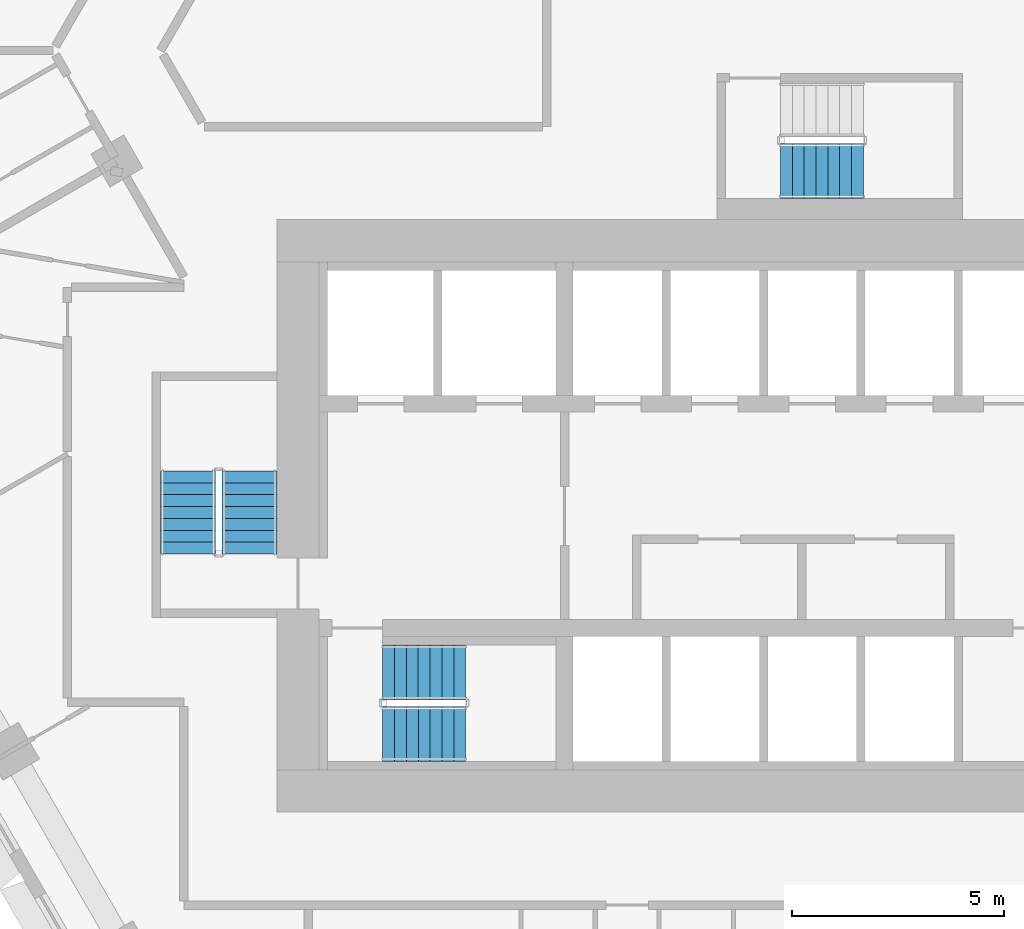
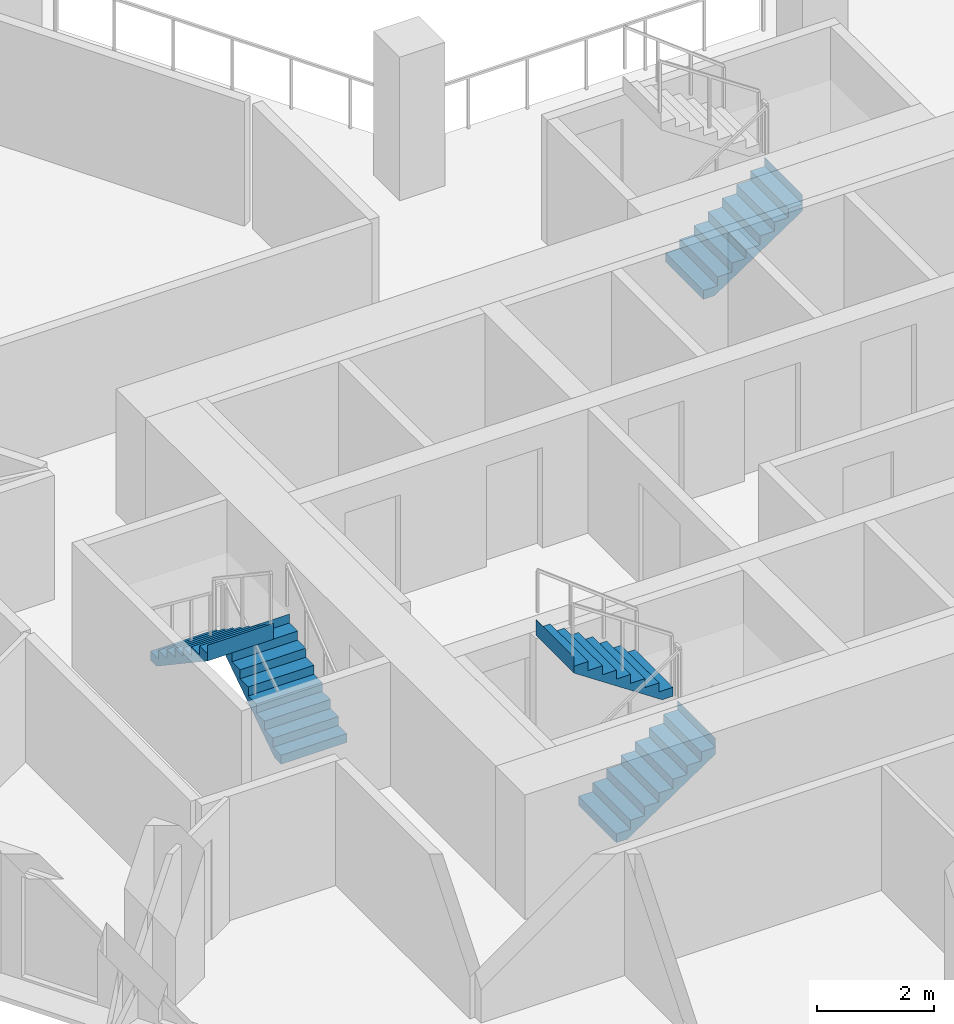
# One storey, part 13 of 18: 5 stair flights, 3 elements without a shape of their own.
"""IFC4 building model written with IfcOpenShell, lengths in metres."""

import ifcopenshell
import ifcopenshell.guid

model = None  # the IFC model being written
_history = None  # IfcOwnerHistory: only IFC2X3 demands one
_inside = {}  # id of a spatial element -> (the spatial element, [elements in it])
_under = {}  # id of a project, library or spatial element -> (it, [spatial elements below it])
_declared = {}  # id of a project -> (the project, [libraries it declares])
_typed = {}  # id of a type object -> (the type object, [elements of that type])
_made_of = {}  # id of a material, layer set ... -> (it, [elements and type objects made of it])


def new_model(schema):
    """Start an empty IFC model of exactly this schema.

    Asked for "IFC4X3", IfcOpenShell would pick the latest addendum, in which some entities
    have other attributes; the version numbers below select the first issue.
    IFC2X3 requires an IfcOwnerHistory on every rooted entity: one is made here for all.
    """
    global model, _history
    if schema == "IFC4X3":
        model = ifcopenshell.file(schema_version=(4, 3, 0, 0))
    else:
        model = ifcopenshell.file(schema=schema)
    _inside.clear()
    _under.clear()
    _declared.clear()
    _typed.clear()
    _made_of.clear()
    _history = None
    if model.schema == "IFC2X3":
        org = make("IfcOrganization", Name="unknown")
        user = make(
            "IfcPersonAndOrganization",
            ThePerson=make("IfcPerson", FamilyName="unknown"),
            TheOrganization=org,
        )
        app = make(
            "IfcApplication",
            ApplicationDeveloper=org,
            Version="unknown",
            ApplicationFullName="unknown",
            ApplicationIdentifier="unknown",
        )
        _history = make(
            "IfcOwnerHistory",
            OwningUser=user,
            OwningApplication=app,
            ChangeAction="ADDED",
            CreationDate=0,
        )
    return model


def make(cls, **values):
    """One entity of the class cls with the attributes given. An attribute that is None is left unset."""
    return model.create_entity(
        cls, **{name: value for name, value in values.items() if value is not None}
    )


def rooted(cls, **values):
    """An entity with a GlobalId (a new one), such as an element, a storey or a relation."""
    return make(cls, GlobalId=ifcopenshell.guid.new(), OwnerHistory=_history, **values)


def si_unit(unit_type, name, prefix=None):
    """IfcSIUnit, for example si_unit("LENGTHUNIT", "METRE", prefix="MILLI")."""
    return make("IfcSIUnit", UnitType=unit_type, Prefix=prefix, Name=name)


def assignment(units):
    """IfcUnitAssignment: the units of a project."""
    return None if units is None else make("IfcUnitAssignment", Units=units)


def point(xyz):
    """IfcCartesianPoint."""
    return None if xyz is None else make("IfcCartesianPoint", Coordinates=xyz)


def direction(xyz):
    """IfcDirection."""
    return None if xyz is None else make("IfcDirection", DirectionRatios=xyz)


def frame(location, z_axis=None, x_axis=None):
    """IfcAxis2Placement3D, a coordinate frame: its origin and axes. An axis left out is left unset."""
    return make(
        "IfcAxis2Placement3D",
        Location=point(location),
        Axis=direction(z_axis),
        RefDirection=direction(x_axis),
    )


def origin():
    """The frame at (0, 0, 0) with its axes left unset."""
    return frame((0.0, 0.0, 0.0))


def place(relative_to, where):
    """IfcLocalPlacement: puts the frame where relative to a parent placement (None: the world)."""
    return make(
        "IfcLocalPlacement", PlacementRelTo=relative_to, RelativePlacement=where
    )


def context(
    kind, dimensions, precision=None, world=None, true_north=None, identifier=None
):
    """IfcGeometricRepresentationContext, for example the 3D "Model" context."""
    return make(
        "IfcGeometricRepresentationContext",
        ContextIdentifier=identifier,
        ContextType=kind,
        CoordinateSpaceDimension=dimensions,
        Precision=precision,
        WorldCoordinateSystem=world,
        TrueNorth=true_north,
    )


def subcontext(parent, identifier, kind, view, scale=None):
    """IfcGeometricRepresentationSubContext, for example "Body" below "Model"."""
    return make(
        "IfcGeometricRepresentationSubContext",
        ContextIdentifier=identifier,
        ContextType=kind,
        ParentContext=parent,
        TargetScale=scale,
        TargetView=view,
    )


def project(units=None, contexts=None):
    """IfcProject with its units and contexts."""
    return rooted(
        "IfcProject",
        Name="project",
        RepresentationContexts=contexts,
        UnitsInContext=assignment(units),
    )


def spatial(cls, under=None, at=None, **own):
    """A site, building, storey or space (cls), placed at a placement, below another one or the project."""
    s = rooted(cls, ObjectPlacement=at, **own)
    if under is not None:
        _under.setdefault(under.id(), (under, []))[1].append(s)
    return s


def point_list(points):
    """IfcCartesianPointList2D or 3D."""
    cls = (
        "IfcCartesianPointList2D" if len(points[0]) == 2 else "IfcCartesianPointList3D"
    )
    return make(cls, CoordList=points)


def triangles(points, corners, closed=None, point_numbers=None):
    """IfcTriangulatedFaceSet: each triangle names its three corners, points numbered from 1."""
    return make(
        "IfcTriangulatedFaceSet",
        Coordinates=point_list(points),
        Closed=closed,
        CoordIndex=corners,
        PnIndex=point_numbers,
    )


def shape(context_of_items, identifier, shape_type, items):
    """IfcShapeRepresentation: the items that make up one representation, for example the "Body"."""
    return make(
        "IfcShapeRepresentation",
        ContextOfItems=context_of_items,
        RepresentationIdentifier=identifier,
        RepresentationType=shape_type,
        Items=items,
    )


def material(Name=None, Category=None):
    """IfcMaterial."""
    return make("IfcMaterial", Name=Name, Category=Category)


def made_of(thing, what):
    """Note that an element or type object is made of a material, layer set ...; save() writes the relation."""
    if what is not None:
        _made_of.setdefault(what.id(), (what, []))[1].append(thing)
    return thing


def type_object(cls, material=None, **own):
    """A type object (cls), such as IfcWallType, which elements share."""
    return made_of(rooted(cls, **own), material)


def element(
    cls,
    number,
    at=None,
    inside=None,
    cuts=None,
    type_object=None,
    material=None,
    context=None,
    identifier="Body",
    shape_type=None,
    held_by="IfcProductDefinitionShape",
    body=None,
    shapes=None,
    **own,
):
    """One element of the class cls, such as IfcWall. Its Tag is "e" and its number.

    at: its placement. inside: the storey or other place that contains it. cuts: it is an
    opening in that element (IfcRelVoidsElement). A single representation is given by context,
    identifier, shape_type and body (its items); several are given by shapes. held_by: the class
    of the entity that holds the representations. save() writes the other relations.
    """
    e = rooted(cls, Tag="e%d" % number, ObjectPlacement=at, **own)
    if body is not None:
        shapes = [shape(context, identifier, shape_type, body)]
    if shapes is not None:
        e.Representation = make(held_by, Representations=shapes)
    if inside is not None:
        _inside.setdefault(inside.id(), (inside, []))[1].append(e)
    if cuts is not None:
        rooted(
            "IfcRelVoidsElement", RelatingBuildingElement=cuts, RelatedOpeningElement=e
        )
    if type_object is not None:
        _typed.setdefault(type_object.id(), (type_object, []))[1].append(e)
    return made_of(e, material)


def aggregate(whole, parts):
    """IfcRelAggregates: a whole, such as a stair, and the parts it consists of."""
    return rooted("IfcRelAggregates", RelatingObject=whole, RelatedObjects=parts)


def save(model, path):
    """Write the relations noted so far, then the file.

    IfcRelAggregates (storeys below a building ...), IfcRelContainedInSpatialStructure (elements
    in a storey), IfcRelDefinesByType, IfcRelAssociatesMaterial and IfcRelDeclares: one each for
    every whole, place, type object, material and project.
    """
    for whole, parts in _under.values():
        aggregate(whole, parts)
    for where, things in _inside.values():
        rooted(
            "IfcRelContainedInSpatialStructure",
            RelatedElements=things,
            RelatingStructure=where,
        )
    for kind, things in _typed.values():
        rooted("IfcRelDefinesByType", RelatedObjects=things, RelatingType=kind)
    for what, things in _made_of.values():
        rooted("IfcRelAssociatesMaterial", RelatedObjects=things, RelatingMaterial=what)
    for by, libraries in _declared.values():
        rooted("IfcRelDeclares", RelatingContext=by, RelatedDefinitions=libraries)
    model.write(path)


model = new_model("IFC4")

# Units and contexts
model_context = context("Model", 3, precision=1e-05, world=origin(), true_north=direction((0.0, 1.0)))
body_context = subcontext(model_context, "Body", "Model", "MODEL_VIEW")
ifc_project = project(units=[si_unit("LENGTHUNIT", "METRE"), si_unit("AREAUNIT", "SQUARE_METRE"), si_unit("VOLUMEUNIT", "CUBIC_METRE"), si_unit("PLANEANGLEUNIT", "RADIAN"), si_unit("MASSUNIT", "GRAM", prefix="KILO")], contexts=[model_context])

# Site, building, storey
site_placement = place(None, origin())
site = spatial("IfcSite", under=ifc_project, at=site_placement, CompositionType="ELEMENT")
building_placement = place(site_placement, origin())
building = spatial("IfcBuilding", under=site, at=building_placement, Name="Beryl Residences", CompositionType="ELEMENT")
storey_placement = place(building_placement, frame((0.0, 0.0, 105.0)))
storey = spatial("IfcBuildingStorey", under=building, at=storey_placement, Name="L32", CompositionType="ELEMENT", Elevation=105.0)

# Stair, stair flights
ifc_material_1 = material(Name="Concrete C40/50", Category="concrete")
stair_type = type_object("IfcStairType", Name="ST1 protected exit stair, half-turn, 1300 mm flights", PredefinedType="HALF_TURN_STAIR", material=ifc_material_1)
stair_1_placement = place(storey_placement, origin())
stair_1 = element("IfcStair", 1, at=stair_1_placement, inside=storey, type_object=stair_type, Name="L32 PROTECTED EXIT STAIR ST-1", PredefinedType="HALF_TURN_STAIR")
ifc_material_2 = material(Name="Concrete C40/50", Category="concrete")
stair_flight_type = type_object("IfcStairFlightType", Name="SF1 stair flight 1300 mm", PredefinedType="STRAIGHT", material=ifc_material_2)
stair_flight_1_placement = place(storey_placement, frame((-10.800048828125, -17.14990234375, 0.0), z_axis=(0.0, 0.0, 1.0), x_axis=(1.0, 0.0, 0.0)))
stair_flight_1 = element("IfcStairFlight", 2, at=stair_flight_1_placement, type_object=stair_flight_type, Name="ST-1 flight 1", NumberOfRisers=8, NumberOfTreads=7, PredefinedType="STRAIGHT", RiserHeight=0.1875, TreadLength=0.28, context=body_context, shape_type="Tessellation", body=[
    triangles([(0.0, -0.64990234375, 0.0), (0.0, -0.324951171875, 0.0), (0.0, 0.0, 0.0), (0.0, 0.324951171875, 0.0), (0.0, 0.64990234375, 0.0), (0.0, -0.64990234375, 0.1875), (0.0, -0.324951171875, 0.1875), (0.0, 0.0, 0.1875), (0.0, 0.324951171875, 0.1875), (0.0, 0.64990234375, 0.1875), (0.280029296875, -0.64990234375, 0.1875), (0.280029296875, -0.324951171875, 0.1875), (0.280029296875, 0.0, 0.1875), (0.280029296875, 0.324951171875, 0.1875), (0.280029296875, 0.64990234375, 0.1875), (0.280029296875, -0.64990234375, 0.375), (0.280029296875, -0.324951171875, 0.375), (0.280029296875, 0.0, 0.375), (0.280029296875, 0.324951171875, 0.375), (0.280029296875, 0.64990234375, 0.375), (0.56005859375, -0.64990234375, 0.375), (0.56005859375, -0.324951171875, 0.375), (0.56005859375, 0.0, 0.375), (0.56005859375, 0.324951171875, 0.375), (0.56005859375, 0.64990234375, 0.375), (0.56005859375, -0.64990234375, 0.5625), (0.56005859375, -0.324951171875, 0.5625), (0.56005859375, 0.0, 0.5625), (0.56005859375, 0.324951171875, 0.5625), (0.56005859375, 0.64990234375, 0.5625), (0.840087890625, -0.64990234375, 0.5625), (0.840087890625, -0.324951171875, 0.5625), (0.840087890625, 0.0, 0.5625), (0.840087890625, 0.324951171875, 0.5625), (0.840087890625, 0.64990234375, 0.5625), (0.840087890625, -0.64990234375, 0.75), (0.840087890625, -0.324951171875, 0.75), (0.840087890625, 0.0, 0.75), (0.840087890625, 0.324951171875, 0.75), (0.840087890625, 0.64990234375, 0.75), (1.1201171875, -0.64990234375, 0.75), (1.1201171875, -0.324951171875, 0.75), (1.1201171875, 0.0, 0.75), (1.1201171875, 0.324951171875, 0.75), (1.1201171875, 0.64990234375, 0.75), (1.1201171875, -0.64990234375, 0.9375), (1.1201171875, -0.324951171875, 0.9375), (1.1201171875, 0.0, 0.9375), (1.1201171875, 0.324951171875, 0.9375), (1.1201171875, 0.64990234375, 0.9375), (1.39990234375, -0.64990234375, 0.9375), (1.39990234375, -0.324951171875, 0.9375), (1.39990234375, 0.0, 0.9375), (1.39990234375, 0.324951171875, 0.9375), (1.39990234375, 0.64990234375, 0.9375), (1.39990234375, -0.64990234375, 1.125), (1.39990234375, -0.324951171875, 1.125), (1.39990234375, 0.0, 1.125), (1.39990234375, 0.324951171875, 1.125), (1.39990234375, 0.64990234375, 1.125), (1.679931640625, -0.64990234375, 1.125), (1.679931640625, -0.324951171875, 1.125), (1.679931640625, 0.0, 1.125), (1.679931640625, 0.324951171875, 1.125), (1.679931640625, 0.64990234375, 1.125), (1.679931640625, -0.64990234375, 1.3125), (1.679931640625, -0.324951171875, 1.3125), (1.679931640625, 0.0, 1.3125), (1.679931640625, 0.324951171875, 1.3125), (1.679931640625, 0.64990234375, 1.3125), (1.9599609375, -0.64990234375, 1.3125), (1.9599609375, -0.324951171875, 1.3125), (1.9599609375, 0.0, 1.3125), (1.9599609375, 0.324951171875, 1.3125), (1.9599609375, 0.64990234375, 1.3125), (1.9599609375, -0.64990234375, 1.5), (1.9599609375, -0.324951171875, 1.5), (1.9599609375, 0.0, 1.5), (1.9599609375, 0.324951171875, 1.5), (1.9599609375, 0.64990234375, 1.5), (1.9609375, -0.64990234375, 1.5), (1.9609375, -0.324951171875, 1.5), (1.9609375, 0.0, 1.5), (1.9609375, 0.324951171875, 1.5), (1.9609375, 0.64990234375, 1.5), (1.9609375, -0.64990234375, 1.16796875), (1.9609375, -0.324951171875, 1.16796875), (1.9609375, 0.0, 1.16796875), (1.9609375, 0.324951171875, 1.16796875), (1.9609375, 0.64990234375, 1.16796875), (0.216796875, -0.64990234375, 0.0), (0.216796875, -0.324951171875, 0.0), (0.216796875, 0.0, 0.0), (0.216796875, 0.324951171875, 0.0), (0.216796875, 0.64990234375, 0.0)], [[1, 6, 7], [1, 7, 2], [2, 7, 8], [2, 8, 3], [3, 8, 9], [3, 9, 4], [4, 9, 10], [4, 10, 5], [6, 11, 12], [6, 12, 7], [7, 12, 13], [7, 13, 8], [8, 13, 14], [8, 14, 9], [9, 14, 15], [9, 15, 10], [11, 16, 17], [11, 17, 12], [12, 17, 18], [12, 18, 13], [13, 18, 19], [13, 19, 14], [14, 19, 20], [14, 20, 15], [16, 21, 22], [16, 22, 17], [17, 22, 23], [17, 23, 18], [18, 23, 24], [18, 24, 19], [19, 24, 25], [19, 25, 20], [21, 26, 27], [21, 27, 22], [22, 27, 28], [22, 28, 23], [23, 28, 29], [23, 29, 24], [24, 29, 30], [24, 30, 25], [26, 31, 32], [26, 32, 27], [27, 32, 33], [27, 33, 28], [28, 33, 34], [28, 34, 29], [29, 34, 35], [29, 35, 30], [31, 36, 37], [31, 37, 32], [32, 37, 38], [32, 38, 33], [33, 38, 39], [33, 39, 34], [34, 39, 40], [34, 40, 35], [36, 41, 42], [36, 42, 37], [37, 42, 43], [37, 43, 38], [38, 43, 44], [38, 44, 39], [39, 44, 45], [39, 45, 40], [41, 46, 47], [41, 47, 42], [42, 47, 48], [42, 48, 43], [43, 48, 49], [43, 49, 44], [44, 49, 50], [44, 50, 45], [46, 51, 52], [46, 52, 47], [47, 52, 53], [47, 53, 48], [48, 53, 54], [48, 54, 49], [49, 54, 55], [49, 55, 50], [51, 56, 57], [51, 57, 52], [52, 57, 58], [52, 58, 53], [53, 58, 59], [53, 59, 54], [54, 59, 60], [54, 60, 55], [56, 61, 62], [56, 62, 57], [57, 62, 63], [57, 63, 58], [58, 63, 64], [58, 64, 59], [59, 64, 65], [59, 65, 60], [61, 66, 67], [61, 67, 62], [62, 67, 68], [62, 68, 63], [63, 68, 69], [63, 69, 64], [64, 69, 70], [64, 70, 65], [66, 71, 72], [66, 72, 67], [67, 72, 73], [67, 73, 68], [68, 73, 74], [68, 74, 69], [69, 74, 75], [69, 75, 70], [71, 76, 77], [71, 77, 72], [72, 77, 78], [72, 78, 73], [73, 78, 79], [73, 79, 74], [74, 79, 80], [74, 80, 75], [76, 81, 82], [76, 82, 77], [77, 82, 83], [77, 83, 78], [78, 83, 84], [78, 84, 79], [79, 84, 85], [79, 85, 80], [81, 86, 87], [81, 87, 82], [82, 87, 88], [82, 88, 83], [83, 88, 89], [83, 89, 84], [84, 89, 90], [84, 90, 85], [86, 91, 92], [86, 92, 87], [87, 92, 93], [87, 93, 88], [88, 93, 94], [88, 94, 89], [89, 94, 95], [89, 95, 90], [91, 1, 2], [91, 2, 92], [92, 2, 3], [92, 3, 93], [93, 3, 4], [93, 4, 94], [94, 4, 5], [94, 5, 95], [1, 91, 86], [5, 90, 95], [86, 81, 76], [90, 80, 85], [86, 76, 71], [90, 75, 80], [86, 71, 66], [90, 70, 75], [86, 66, 61], [90, 65, 70], [61, 56, 51], [65, 55, 60], [86, 61, 51], [90, 55, 65], [51, 46, 41], [55, 45, 50], [86, 51, 41], [90, 45, 55], [41, 36, 31], [45, 35, 40], [86, 41, 31], [90, 35, 45], [31, 26, 21], [35, 25, 30], [86, 31, 21], [90, 25, 35], [21, 16, 11], [25, 15, 20], [86, 21, 11], [90, 15, 25], [1, 86, 11], [5, 15, 90], [11, 6, 1], [15, 5, 10]], closed=True),
])
stair_flight_2_placement = place(storey_placement, frame((-8.840087890625, -15.699951171875, 1.5), z_axis=(0.0, 0.0, 1.0), x_axis=(-1.0, 0.0, 0.0)))
stair_flight_2 = element("IfcStairFlight", 3, at=stair_flight_2_placement, type_object=stair_flight_type, Name="ST-1 flight 2", NumberOfRisers=8, NumberOfTreads=7, PredefinedType="STRAIGHT", RiserHeight=0.1875, TreadLength=0.28, context=body_context, shape_type="Tessellation", body=[
    triangles([(0.0, -0.64990234375, 0.0), (0.0, -0.324951171875, 0.0), (0.0, 0.0, 0.0), (0.0, 0.324951171875, 0.0), (0.0, 0.64990234375, 0.0), (0.0, -0.64990234375, 0.1875), (0.0, -0.324951171875, 0.1875), (0.0, 0.0, 0.1875), (0.0, 0.324951171875, 0.1875), (0.0, 0.64990234375, 0.1875), (0.280029296875, -0.64990234375, 0.1875), (0.280029296875, -0.324951171875, 0.1875), (0.280029296875, 0.0, 0.1875), (0.280029296875, 0.324951171875, 0.1875), (0.280029296875, 0.64990234375, 0.1875), (0.280029296875, -0.64990234375, 0.375), (0.280029296875, -0.324951171875, 0.375), (0.280029296875, 0.0, 0.375), (0.280029296875, 0.324951171875, 0.375), (0.280029296875, 0.64990234375, 0.375), (0.56005859375, -0.64990234375, 0.375), (0.56005859375, -0.324951171875, 0.375), (0.56005859375, 0.0, 0.375), (0.56005859375, 0.324951171875, 0.375), (0.56005859375, 0.64990234375, 0.375), (0.56005859375, -0.64990234375, 0.5625), (0.56005859375, -0.324951171875, 0.5625), (0.56005859375, 0.0, 0.5625), (0.56005859375, 0.324951171875, 0.5625), (0.56005859375, 0.64990234375, 0.5625), (0.840087890625, -0.64990234375, 0.5625), (0.840087890625, -0.324951171875, 0.5625), (0.840087890625, 0.0, 0.5625), (0.840087890625, 0.324951171875, 0.5625), (0.840087890625, 0.64990234375, 0.5625), (0.840087890625, -0.64990234375, 0.75), (0.840087890625, -0.324951171875, 0.75), (0.840087890625, 0.0, 0.75), (0.840087890625, 0.324951171875, 0.75), (0.840087890625, 0.64990234375, 0.75), (1.1201171875, -0.64990234375, 0.75), (1.1201171875, -0.324951171875, 0.75), (1.1201171875, 0.0, 0.75), (1.1201171875, 0.324951171875, 0.75), (1.1201171875, 0.64990234375, 0.75), (1.1201171875, -0.64990234375, 0.9375), (1.1201171875, -0.324951171875, 0.9375), (1.1201171875, 0.0, 0.9375), (1.1201171875, 0.324951171875, 0.9375), (1.1201171875, 0.64990234375, 0.9375), (1.39990234375, -0.64990234375, 0.9375), (1.39990234375, -0.324951171875, 0.9375), (1.39990234375, 0.0, 0.9375), (1.39990234375, 0.324951171875, 0.9375), (1.39990234375, 0.64990234375, 0.9375), (1.39990234375, -0.64990234375, 1.125), (1.39990234375, -0.324951171875, 1.125), (1.39990234375, 0.0, 1.125), (1.39990234375, 0.324951171875, 1.125), (1.39990234375, 0.64990234375, 1.125), (1.679931640625, -0.64990234375, 1.125), (1.679931640625, -0.324951171875, 1.125), (1.679931640625, 0.0, 1.125), (1.679931640625, 0.324951171875, 1.125), (1.679931640625, 0.64990234375, 1.125), (1.679931640625, -0.64990234375, 1.3125), (1.679931640625, -0.324951171875, 1.3125), (1.679931640625, 0.0, 1.3125), (1.679931640625, 0.324951171875, 1.3125), (1.679931640625, 0.64990234375, 1.3125), (1.9599609375, -0.64990234375, 1.3125), (1.9599609375, -0.324951171875, 1.3125), (1.9599609375, 0.0, 1.3125), (1.9599609375, 0.324951171875, 1.3125), (1.9599609375, 0.64990234375, 1.3125), (1.9599609375, -0.64990234375, 1.5), (1.9599609375, -0.324951171875, 1.5), (1.9599609375, 0.0, 1.5), (1.9599609375, 0.324951171875, 1.5), (1.9599609375, 0.64990234375, 1.5), (1.9609375, -0.64990234375, 1.5), (1.9609375, -0.324951171875, 1.5), (1.9609375, 0.0, 1.5), (1.9609375, 0.324951171875, 1.5), (1.9609375, 0.64990234375, 1.5), (1.9609375, -0.64990234375, 1.16796875), (1.9609375, -0.324951171875, 1.16796875), (1.9609375, 0.0, 1.16796875), (1.9609375, 0.324951171875, 1.16796875), (1.9609375, 0.64990234375, 1.16796875), (0.216796875, -0.64990234375, 0.0), (0.216796875, -0.324951171875, 0.0), (0.216796875, 0.0, 0.0), (0.216796875, 0.324951171875, 0.0), (0.216796875, 0.64990234375, 0.0)], [[1, 6, 7], [1, 7, 2], [2, 7, 8], [2, 8, 3], [3, 8, 9], [3, 9, 4], [4, 9, 10], [4, 10, 5], [6, 11, 12], [6, 12, 7], [7, 12, 13], [7, 13, 8], [8, 13, 14], [8, 14, 9], [9, 14, 15], [9, 15, 10], [11, 16, 17], [11, 17, 12], [12, 17, 18], [12, 18, 13], [13, 18, 19], [13, 19, 14], [14, 19, 20], [14, 20, 15], [16, 21, 22], [16, 22, 17], [17, 22, 23], [17, 23, 18], [18, 23, 24], [18, 24, 19], [19, 24, 25], [19, 25, 20], [21, 26, 27], [21, 27, 22], [22, 27, 28], [22, 28, 23], [23, 28, 29], [23, 29, 24], [24, 29, 30], [24, 30, 25], [26, 31, 32], [26, 32, 27], [27, 32, 33], [27, 33, 28], [28, 33, 34], [28, 34, 29], [29, 34, 35], [29, 35, 30], [31, 36, 37], [31, 37, 32], [32, 37, 38], [32, 38, 33], [33, 38, 39], [33, 39, 34], [34, 39, 40], [34, 40, 35], [36, 41, 42], [36, 42, 37], [37, 42, 43], [37, 43, 38], [38, 43, 44], [38, 44, 39], [39, 44, 45], [39, 45, 40], [41, 46, 47], [41, 47, 42], [42, 47, 48], [42, 48, 43], [43, 48, 49], [43, 49, 44], [44, 49, 50], [44, 50, 45], [46, 51, 52], [46, 52, 47], [47, 52, 53], [47, 53, 48], [48, 53, 54], [48, 54, 49], [49, 54, 55], [49, 55, 50], [51, 56, 57], [51, 57, 52], [52, 57, 58], [52, 58, 53], [53, 58, 59], [53, 59, 54], [54, 59, 60], [54, 60, 55], [56, 61, 62], [56, 62, 57], [57, 62, 63], [57, 63, 58], [58, 63, 64], [58, 64, 59], [59, 64, 65], [59, 65, 60], [61, 66, 67], [61, 67, 62], [62, 67, 68], [62, 68, 63], [63, 68, 69], [63, 69, 64], [64, 69, 70], [64, 70, 65], [66, 71, 72], [66, 72, 67], [67, 72, 73], [67, 73, 68], [68, 73, 74], [68, 74, 69], [69, 74, 75], [69, 75, 70], [71, 76, 77], [71, 77, 72], [72, 77, 78], [72, 78, 73], [73, 78, 79], [73, 79, 74], [74, 79, 80], [74, 80, 75], [76, 81, 82], [76, 82, 77], [77, 82, 83], [77, 83, 78], [78, 83, 84], [78, 84, 79], [79, 84, 85], [79, 85, 80], [81, 86, 87], [81, 87, 82], [82, 87, 88], [82, 88, 83], [83, 88, 89], [83, 89, 84], [84, 89, 90], [84, 90, 85], [86, 91, 92], [86, 92, 87], [87, 92, 93], [87, 93, 88], [88, 93, 94], [88, 94, 89], [89, 94, 95], [89, 95, 90], [91, 1, 2], [91, 2, 92], [92, 2, 3], [92, 3, 93], [93, 3, 4], [93, 4, 94], [94, 4, 5], [94, 5, 95], [1, 91, 86], [5, 90, 95], [86, 81, 76], [90, 80, 85], [86, 76, 71], [90, 75, 80], [86, 71, 66], [90, 70, 75], [86, 66, 61], [90, 65, 70], [61, 56, 51], [65, 55, 60], [86, 61, 51], [90, 55, 65], [51, 46, 41], [55, 45, 50], [86, 51, 41], [90, 45, 55], [41, 36, 31], [45, 35, 40], [86, 41, 31], [90, 35, 45], [31, 26, 21], [35, 25, 30], [86, 31, 21], [90, 25, 35], [21, 16, 11], [25, 15, 20], [86, 21, 11], [90, 15, 25], [1, 86, 11], [5, 15, 90], [11, 6, 1], [15, 5, 10]], closed=True),
])
aggregate(stair_1, [stair_flight_1, stair_flight_2])

stair_2_placement = place(storey_placement, origin())
stair_2 = element("IfcStair", 4, at=stair_2_placement, inside=storey, type_object=stair_type, Name="L32 PROTECTED EXIT STAIR ST-2", PredefinedType="HALF_TURN_STAIR")
stair_flight_3_placement = place(storey_placement, frame((-13.949951171875, -12.89990234375, 0.0), z_axis=(0.0, 0.0, 1.0), x_axis=(0.0, 1.0, 0.0)))
stair_flight_3 = element("IfcStairFlight", 5, at=stair_flight_3_placement, type_object=stair_flight_type, Name="ST-2 flight 1", NumberOfRisers=8, NumberOfTreads=7, PredefinedType="STRAIGHT", RiserHeight=0.1875, TreadLength=0.28, context=body_context, shape_type="Tessellation", body=[
    triangles([(0.0, -0.64990234375, 0.0), (0.0, -0.324951171875, 0.0), (0.0, 0.0, 0.0), (0.0, 0.324951171875, 0.0), (0.0, 0.64990234375, 0.0), (0.0, -0.64990234375, 0.1875), (0.0, -0.324951171875, 0.1875), (0.0, 0.0, 0.1875), (0.0, 0.324951171875, 0.1875), (0.0, 0.64990234375, 0.1875), (0.280029296875, -0.64990234375, 0.1875), (0.280029296875, -0.324951171875, 0.1875), (0.280029296875, 0.0, 0.1875), (0.280029296875, 0.324951171875, 0.1875), (0.280029296875, 0.64990234375, 0.1875), (0.280029296875, -0.64990234375, 0.375), (0.280029296875, -0.324951171875, 0.375), (0.280029296875, 0.0, 0.375), (0.280029296875, 0.324951171875, 0.375), (0.280029296875, 0.64990234375, 0.375), (0.56005859375, -0.64990234375, 0.375), (0.56005859375, -0.324951171875, 0.375), (0.56005859375, 0.0, 0.375), (0.56005859375, 0.324951171875, 0.375), (0.56005859375, 0.64990234375, 0.375), (0.56005859375, -0.64990234375, 0.5625), (0.56005859375, -0.324951171875, 0.5625), (0.56005859375, 0.0, 0.5625), (0.56005859375, 0.324951171875, 0.5625), (0.56005859375, 0.64990234375, 0.5625), (0.840087890625, -0.64990234375, 0.5625), (0.840087890625, -0.324951171875, 0.5625), (0.840087890625, 0.0, 0.5625), (0.840087890625, 0.324951171875, 0.5625), (0.840087890625, 0.64990234375, 0.5625), (0.840087890625, -0.64990234375, 0.75), (0.840087890625, -0.324951171875, 0.75), (0.840087890625, 0.0, 0.75), (0.840087890625, 0.324951171875, 0.75), (0.840087890625, 0.64990234375, 0.75), (1.1201171875, -0.64990234375, 0.75), (1.1201171875, -0.324951171875, 0.75), (1.1201171875, 0.0, 0.75), (1.1201171875, 0.324951171875, 0.75), (1.1201171875, 0.64990234375, 0.75), (1.1201171875, -0.64990234375, 0.9375), (1.1201171875, -0.324951171875, 0.9375), (1.1201171875, 0.0, 0.9375), (1.1201171875, 0.324951171875, 0.9375), (1.1201171875, 0.64990234375, 0.9375), (1.39990234375, -0.64990234375, 0.9375), (1.39990234375, -0.324951171875, 0.9375), (1.39990234375, 0.0, 0.9375), (1.39990234375, 0.324951171875, 0.9375), (1.39990234375, 0.64990234375, 0.9375), (1.39990234375, -0.64990234375, 1.125), (1.39990234375, -0.324951171875, 1.125), (1.39990234375, 0.0, 1.125), (1.39990234375, 0.324951171875, 1.125), (1.39990234375, 0.64990234375, 1.125), (1.679931640625, -0.64990234375, 1.125), (1.679931640625, -0.324951171875, 1.125), (1.679931640625, 0.0, 1.125), (1.679931640625, 0.324951171875, 1.125), (1.679931640625, 0.64990234375, 1.125), (1.679931640625, -0.64990234375, 1.3125), (1.679931640625, -0.324951171875, 1.3125), (1.679931640625, 0.0, 1.3125), (1.679931640625, 0.324951171875, 1.3125), (1.679931640625, 0.64990234375, 1.3125), (1.9599609375, -0.64990234375, 1.3125), (1.9599609375, -0.324951171875, 1.3125), (1.9599609375, 0.0, 1.3125), (1.9599609375, 0.324951171875, 1.3125), (1.9599609375, 0.64990234375, 1.3125), (1.9599609375, -0.64990234375, 1.5), (1.9599609375, -0.324951171875, 1.5), (1.9599609375, 0.0, 1.5), (1.9599609375, 0.324951171875, 1.5), (1.9599609375, 0.64990234375, 1.5), (1.9609375, -0.64990234375, 1.5), (1.9609375, -0.324951171875, 1.5), (1.9609375, 0.0, 1.5), (1.9609375, 0.324951171875, 1.5), (1.9609375, 0.64990234375, 1.5), (1.9609375, -0.64990234375, 1.16796875), (1.9609375, -0.324951171875, 1.16796875), (1.9609375, 0.0, 1.16796875), (1.9609375, 0.324951171875, 1.16796875), (1.9609375, 0.64990234375, 1.16796875), (0.216796875, -0.64990234375, 0.0), (0.216796875, -0.324951171875, 0.0), (0.216796875, 0.0, 0.0), (0.216796875, 0.324951171875, 0.0), (0.216796875, 0.64990234375, 0.0)], [[1, 6, 7], [1, 7, 2], [2, 7, 8], [2, 8, 3], [3, 8, 9], [3, 9, 4], [4, 9, 10], [4, 10, 5], [6, 11, 12], [6, 12, 7], [7, 12, 13], [7, 13, 8], [8, 13, 14], [8, 14, 9], [9, 14, 15], [9, 15, 10], [11, 16, 17], [11, 17, 12], [12, 17, 18], [12, 18, 13], [13, 18, 19], [13, 19, 14], [14, 19, 20], [14, 20, 15], [16, 21, 22], [16, 22, 17], [17, 22, 23], [17, 23, 18], [18, 23, 24], [18, 24, 19], [19, 24, 25], [19, 25, 20], [21, 26, 27], [21, 27, 22], [22, 27, 28], [22, 28, 23], [23, 28, 29], [23, 29, 24], [24, 29, 30], [24, 30, 25], [26, 31, 32], [26, 32, 27], [27, 32, 33], [27, 33, 28], [28, 33, 34], [28, 34, 29], [29, 34, 35], [29, 35, 30], [31, 36, 37], [31, 37, 32], [32, 37, 38], [32, 38, 33], [33, 38, 39], [33, 39, 34], [34, 39, 40], [34, 40, 35], [36, 41, 42], [36, 42, 37], [37, 42, 43], [37, 43, 38], [38, 43, 44], [38, 44, 39], [39, 44, 45], [39, 45, 40], [41, 46, 47], [41, 47, 42], [42, 47, 48], [42, 48, 43], [43, 48, 49], [43, 49, 44], [44, 49, 50], [44, 50, 45], [46, 51, 52], [46, 52, 47], [47, 52, 53], [47, 53, 48], [48, 53, 54], [48, 54, 49], [49, 54, 55], [49, 55, 50], [51, 56, 57], [51, 57, 52], [52, 57, 58], [52, 58, 53], [53, 58, 59], [53, 59, 54], [54, 59, 60], [54, 60, 55], [56, 61, 62], [56, 62, 57], [57, 62, 63], [57, 63, 58], [58, 63, 64], [58, 64, 59], [59, 64, 65], [59, 65, 60], [61, 66, 67], [61, 67, 62], [62, 67, 68], [62, 68, 63], [63, 68, 69], [63, 69, 64], [64, 69, 70], [64, 70, 65], [66, 71, 72], [66, 72, 67], [67, 72, 73], [67, 73, 68], [68, 73, 74], [68, 74, 69], [69, 74, 75], [69, 75, 70], [71, 76, 77], [71, 77, 72], [72, 77, 78], [72, 78, 73], [73, 78, 79], [73, 79, 74], [74, 79, 80], [74, 80, 75], [76, 81, 82], [76, 82, 77], [77, 82, 83], [77, 83, 78], [78, 83, 84], [78, 84, 79], [79, 84, 85], [79, 85, 80], [81, 86, 87], [81, 87, 82], [82, 87, 88], [82, 88, 83], [83, 88, 89], [83, 89, 84], [84, 89, 90], [84, 90, 85], [86, 91, 92], [86, 92, 87], [87, 92, 93], [87, 93, 88], [88, 93, 94], [88, 94, 89], [89, 94, 95], [89, 95, 90], [91, 1, 2], [91, 2, 92], [92, 2, 3], [92, 3, 93], [93, 3, 4], [93, 4, 94], [94, 4, 5], [94, 5, 95], [1, 91, 86], [5, 90, 95], [86, 81, 76], [90, 80, 85], [86, 76, 71], [90, 75, 80], [86, 71, 66], [90, 70, 75], [86, 66, 61], [90, 65, 70], [61, 56, 51], [65, 55, 60], [86, 61, 51], [90, 55, 65], [51, 46, 41], [55, 45, 50], [86, 51, 41], [90, 45, 55], [41, 36, 31], [45, 35, 40], [86, 41, 31], [90, 35, 45], [31, 26, 21], [35, 25, 30], [86, 31, 21], [90, 25, 35], [21, 16, 11], [25, 15, 20], [86, 21, 11], [90, 15, 25], [1, 86, 11], [5, 15, 90], [11, 6, 1], [15, 5, 10]], closed=True),
])
stair_flight_4_placement = place(storey_placement, frame((-15.39990234375, -10.93994140625, 1.5), z_axis=(0.0, 0.0, 1.0), x_axis=(0.0, -1.0, 0.0)))
stair_flight_4 = element("IfcStairFlight", 6, at=stair_flight_4_placement, type_object=stair_flight_type, Name="ST-2 flight 2", NumberOfRisers=8, NumberOfTreads=7, PredefinedType="STRAIGHT", RiserHeight=0.1875, TreadLength=0.28, context=body_context, shape_type="Tessellation", body=[
    triangles([(0.0, -0.64990234375, 0.0), (0.0, -0.324951171875, 0.0), (0.0, 0.0, 0.0), (0.0, 0.324951171875, 0.0), (0.0, 0.64990234375, 0.0), (0.0, -0.64990234375, 0.1875), (0.0, -0.324951171875, 0.1875), (0.0, 0.0, 0.1875), (0.0, 0.324951171875, 0.1875), (0.0, 0.64990234375, 0.1875), (0.280029296875, -0.64990234375, 0.1875), (0.280029296875, -0.324951171875, 0.1875), (0.280029296875, 0.0, 0.1875), (0.280029296875, 0.324951171875, 0.1875), (0.280029296875, 0.64990234375, 0.1875), (0.280029296875, -0.64990234375, 0.375), (0.280029296875, -0.324951171875, 0.375), (0.280029296875, 0.0, 0.375), (0.280029296875, 0.324951171875, 0.375), (0.280029296875, 0.64990234375, 0.375), (0.56005859375, -0.64990234375, 0.375), (0.56005859375, -0.324951171875, 0.375), (0.56005859375, 0.0, 0.375), (0.56005859375, 0.324951171875, 0.375), (0.56005859375, 0.64990234375, 0.375), (0.56005859375, -0.64990234375, 0.5625), (0.56005859375, -0.324951171875, 0.5625), (0.56005859375, 0.0, 0.5625), (0.56005859375, 0.324951171875, 0.5625), (0.56005859375, 0.64990234375, 0.5625), (0.840087890625, -0.64990234375, 0.5625), (0.840087890625, -0.324951171875, 0.5625), (0.840087890625, 0.0, 0.5625), (0.840087890625, 0.324951171875, 0.5625), (0.840087890625, 0.64990234375, 0.5625), (0.840087890625, -0.64990234375, 0.75), (0.840087890625, -0.324951171875, 0.75), (0.840087890625, 0.0, 0.75), (0.840087890625, 0.324951171875, 0.75), (0.840087890625, 0.64990234375, 0.75), (1.1201171875, -0.64990234375, 0.75), (1.1201171875, -0.324951171875, 0.75), (1.1201171875, 0.0, 0.75), (1.1201171875, 0.324951171875, 0.75), (1.1201171875, 0.64990234375, 0.75), (1.1201171875, -0.64990234375, 0.9375), (1.1201171875, -0.324951171875, 0.9375), (1.1201171875, 0.0, 0.9375), (1.1201171875, 0.324951171875, 0.9375), (1.1201171875, 0.64990234375, 0.9375), (1.39990234375, -0.64990234375, 0.9375), (1.39990234375, -0.324951171875, 0.9375), (1.39990234375, 0.0, 0.9375), (1.39990234375, 0.324951171875, 0.9375), (1.39990234375, 0.64990234375, 0.9375), (1.39990234375, -0.64990234375, 1.125), (1.39990234375, -0.324951171875, 1.125), (1.39990234375, 0.0, 1.125), (1.39990234375, 0.324951171875, 1.125), (1.39990234375, 0.64990234375, 1.125), (1.679931640625, -0.64990234375, 1.125), (1.679931640625, -0.324951171875, 1.125), (1.679931640625, 0.0, 1.125), (1.679931640625, 0.324951171875, 1.125), (1.679931640625, 0.64990234375, 1.125), (1.679931640625, -0.64990234375, 1.3125), (1.679931640625, -0.324951171875, 1.3125), (1.679931640625, 0.0, 1.3125), (1.679931640625, 0.324951171875, 1.3125), (1.679931640625, 0.64990234375, 1.3125), (1.9599609375, -0.64990234375, 1.3125), (1.9599609375, -0.324951171875, 1.3125), (1.9599609375, 0.0, 1.3125), (1.9599609375, 0.324951171875, 1.3125), (1.9599609375, 0.64990234375, 1.3125), (1.9599609375, -0.64990234375, 1.5), (1.9599609375, -0.324951171875, 1.5), (1.9599609375, 0.0, 1.5), (1.9599609375, 0.324951171875, 1.5), (1.9599609375, 0.64990234375, 1.5), (1.9609375, -0.64990234375, 1.5), (1.9609375, -0.324951171875, 1.5), (1.9609375, 0.0, 1.5), (1.9609375, 0.324951171875, 1.5), (1.9609375, 0.64990234375, 1.5), (1.9609375, -0.64990234375, 1.16796875), (1.9609375, -0.324951171875, 1.16796875), (1.9609375, 0.0, 1.16796875), (1.9609375, 0.324951171875, 1.16796875), (1.9609375, 0.64990234375, 1.16796875), (0.216796875, -0.64990234375, 0.0), (0.216796875, -0.324951171875, 0.0), (0.216796875, 0.0, 0.0), (0.216796875, 0.324951171875, 0.0), (0.216796875, 0.64990234375, 0.0)], [[1, 6, 7], [1, 7, 2], [2, 7, 8], [2, 8, 3], [3, 8, 9], [3, 9, 4], [4, 9, 10], [4, 10, 5], [6, 11, 12], [6, 12, 7], [7, 12, 13], [7, 13, 8], [8, 13, 14], [8, 14, 9], [9, 14, 15], [9, 15, 10], [11, 16, 17], [11, 17, 12], [12, 17, 18], [12, 18, 13], [13, 18, 19], [13, 19, 14], [14, 19, 20], [14, 20, 15], [16, 21, 22], [16, 22, 17], [17, 22, 23], [17, 23, 18], [18, 23, 24], [18, 24, 19], [19, 24, 25], [19, 25, 20], [21, 26, 27], [21, 27, 22], [22, 27, 28], [22, 28, 23], [23, 28, 29], [23, 29, 24], [24, 29, 30], [24, 30, 25], [26, 31, 32], [26, 32, 27], [27, 32, 33], [27, 33, 28], [28, 33, 34], [28, 34, 29], [29, 34, 35], [29, 35, 30], [31, 36, 37], [31, 37, 32], [32, 37, 38], [32, 38, 33], [33, 38, 39], [33, 39, 34], [34, 39, 40], [34, 40, 35], [36, 41, 42], [36, 42, 37], [37, 42, 43], [37, 43, 38], [38, 43, 44], [38, 44, 39], [39, 44, 45], [39, 45, 40], [41, 46, 47], [41, 47, 42], [42, 47, 48], [42, 48, 43], [43, 48, 49], [43, 49, 44], [44, 49, 50], [44, 50, 45], [46, 51, 52], [46, 52, 47], [47, 52, 53], [47, 53, 48], [48, 53, 54], [48, 54, 49], [49, 54, 55], [49, 55, 50], [51, 56, 57], [51, 57, 52], [52, 57, 58], [52, 58, 53], [53, 58, 59], [53, 59, 54], [54, 59, 60], [54, 60, 55], [56, 61, 62], [56, 62, 57], [57, 62, 63], [57, 63, 58], [58, 63, 64], [58, 64, 59], [59, 64, 65], [59, 65, 60], [61, 66, 67], [61, 67, 62], [62, 67, 68], [62, 68, 63], [63, 68, 69], [63, 69, 64], [64, 69, 70], [64, 70, 65], [66, 71, 72], [66, 72, 67], [67, 72, 73], [67, 73, 68], [68, 73, 74], [68, 74, 69], [69, 74, 75], [69, 75, 70], [71, 76, 77], [71, 77, 72], [72, 77, 78], [72, 78, 73], [73, 78, 79], [73, 79, 74], [74, 79, 80], [74, 80, 75], [76, 81, 82], [76, 82, 77], [77, 82, 83], [77, 83, 78], [78, 83, 84], [78, 84, 79], [79, 84, 85], [79, 85, 80], [81, 86, 87], [81, 87, 82], [82, 87, 88], [82, 88, 83], [83, 88, 89], [83, 89, 84], [84, 89, 90], [84, 90, 85], [86, 91, 92], [86, 92, 87], [87, 92, 93], [87, 93, 88], [88, 93, 94], [88, 94, 89], [89, 94, 95], [89, 95, 90], [91, 1, 2], [91, 2, 92], [92, 2, 3], [92, 3, 93], [93, 3, 4], [93, 4, 94], [94, 4, 5], [94, 5, 95], [1, 91, 86], [5, 90, 95], [86, 81, 76], [90, 80, 85], [86, 76, 71], [90, 75, 80], [86, 71, 66], [90, 70, 75], [86, 66, 61], [90, 65, 70], [61, 56, 51], [65, 55, 60], [86, 61, 51], [90, 55, 65], [51, 46, 41], [55, 45, 50], [86, 51, 41], [90, 45, 55], [41, 36, 31], [45, 35, 40], [86, 41, 31], [90, 35, 45], [31, 26, 21], [35, 25, 30], [86, 31, 21], [90, 25, 35], [21, 16, 11], [25, 15, 20], [86, 21, 11], [90, 15, 25], [1, 86, 11], [5, 15, 90], [11, 6, 1], [15, 5, 10]], closed=True),
])
aggregate(stair_2, [stair_flight_3, stair_flight_4])

# Stair, stair flight
stair_3_placement = place(storey_placement, origin())
stair_3 = element("IfcStair", 7, at=stair_3_placement, inside=storey, type_object=stair_type, Name="L32 PROTECTED EXIT STAIR ST-4", PredefinedType="HALF_TURN_STAIR")
stair_flight_5_placement = place(storey_placement, frame((-1.39990234375, -3.85009765625, 0.0), z_axis=(0.0, 0.0, 1.0), x_axis=(1.0, 0.0, 0.0)))
stair_flight_5 = element("IfcStairFlight", 8, at=stair_flight_5_placement, type_object=stair_flight_type, Name="ST-4 flight 1", NumberOfRisers=8, NumberOfTreads=7, PredefinedType="STRAIGHT", RiserHeight=0.1875, TreadLength=0.28, context=body_context, shape_type="Tessellation", body=[
    triangles([(0.0, -0.64990234375, 0.0), (0.0, -0.324951171875, 0.0), (0.0, 0.0, 0.0), (0.0, 0.324951171875, 0.0), (0.0, 0.64990234375, 0.0), (0.0, -0.64990234375, 0.1875), (0.0, -0.324951171875, 0.1875), (0.0, 0.0, 0.1875), (0.0, 0.324951171875, 0.1875), (0.0, 0.64990234375, 0.1875), (0.280029296875, -0.64990234375, 0.1875), (0.280029296875, -0.324951171875, 0.1875), (0.280029296875, 0.0, 0.1875), (0.280029296875, 0.324951171875, 0.1875), (0.280029296875, 0.64990234375, 0.1875), (0.280029296875, -0.64990234375, 0.375), (0.280029296875, -0.324951171875, 0.375), (0.280029296875, 0.0, 0.375), (0.280029296875, 0.324951171875, 0.375), (0.280029296875, 0.64990234375, 0.375), (0.56005859375, -0.64990234375, 0.375), (0.56005859375, -0.324951171875, 0.375), (0.56005859375, 0.0, 0.375), (0.56005859375, 0.324951171875, 0.375), (0.56005859375, 0.64990234375, 0.375), (0.56005859375, -0.64990234375, 0.5625), (0.56005859375, -0.324951171875, 0.5625), (0.56005859375, 0.0, 0.5625), (0.56005859375, 0.324951171875, 0.5625), (0.56005859375, 0.64990234375, 0.5625), (0.840087890625, -0.64990234375, 0.5625), (0.840087890625, -0.324951171875, 0.5625), (0.840087890625, 0.0, 0.5625), (0.840087890625, 0.324951171875, 0.5625), (0.840087890625, 0.64990234375, 0.5625), (0.840087890625, -0.64990234375, 0.75), (0.840087890625, -0.324951171875, 0.75), (0.840087890625, 0.0, 0.75), (0.840087890625, 0.324951171875, 0.75), (0.840087890625, 0.64990234375, 0.75), (1.1201171875, -0.64990234375, 0.75), (1.1201171875, -0.324951171875, 0.75), (1.1201171875, 0.0, 0.75), (1.1201171875, 0.324951171875, 0.75), (1.1201171875, 0.64990234375, 0.75), (1.1201171875, -0.64990234375, 0.9375), (1.1201171875, -0.324951171875, 0.9375), (1.1201171875, 0.0, 0.9375), (1.1201171875, 0.324951171875, 0.9375), (1.1201171875, 0.64990234375, 0.9375), (1.39990234375, -0.64990234375, 0.9375), (1.39990234375, -0.324951171875, 0.9375), (1.39990234375, 0.0, 0.9375), (1.39990234375, 0.324951171875, 0.9375), (1.39990234375, 0.64990234375, 0.9375), (1.39990234375, -0.64990234375, 1.125), (1.39990234375, -0.324951171875, 1.125), (1.39990234375, 0.0, 1.125), (1.39990234375, 0.324951171875, 1.125), (1.39990234375, 0.64990234375, 1.125), (1.679931640625, -0.64990234375, 1.125), (1.679931640625, -0.324951171875, 1.125), (1.679931640625, 0.0, 1.125), (1.679931640625, 0.324951171875, 1.125), (1.679931640625, 0.64990234375, 1.125), (1.679931640625, -0.64990234375, 1.3125), (1.679931640625, -0.324951171875, 1.3125), (1.679931640625, 0.0, 1.3125), (1.679931640625, 0.324951171875, 1.3125), (1.679931640625, 0.64990234375, 1.3125), (1.9599609375, -0.64990234375, 1.3125), (1.9599609375, -0.324951171875, 1.3125), (1.9599609375, 0.0, 1.3125), (1.9599609375, 0.324951171875, 1.3125), (1.9599609375, 0.64990234375, 1.3125), (1.9599609375, -0.64990234375, 1.5), (1.9599609375, -0.324951171875, 1.5), (1.9599609375, 0.0, 1.5), (1.9599609375, 0.324951171875, 1.5), (1.9599609375, 0.64990234375, 1.5), (1.9609375, -0.64990234375, 1.5), (1.9609375, -0.324951171875, 1.5), (1.9609375, 0.0, 1.5), (1.9609375, 0.324951171875, 1.5), (1.9609375, 0.64990234375, 1.5), (1.9609375, -0.64990234375, 1.16796875), (1.9609375, -0.324951171875, 1.16796875), (1.9609375, 0.0, 1.16796875), (1.9609375, 0.324951171875, 1.16796875), (1.9609375, 0.64990234375, 1.16796875), (0.216796875, -0.64990234375, 0.0), (0.216796875, -0.324951171875, 0.0), (0.216796875, 0.0, 0.0), (0.216796875, 0.324951171875, 0.0), (0.216796875, 0.64990234375, 0.0)], [[1, 6, 7], [1, 7, 2], [2, 7, 8], [2, 8, 3], [3, 8, 9], [3, 9, 4], [4, 9, 10], [4, 10, 5], [6, 11, 12], [6, 12, 7], [7, 12, 13], [7, 13, 8], [8, 13, 14], [8, 14, 9], [9, 14, 15], [9, 15, 10], [11, 16, 17], [11, 17, 12], [12, 17, 18], [12, 18, 13], [13, 18, 19], [13, 19, 14], [14, 19, 20], [14, 20, 15], [16, 21, 22], [16, 22, 17], [17, 22, 23], [17, 23, 18], [18, 23, 24], [18, 24, 19], [19, 24, 25], [19, 25, 20], [21, 26, 27], [21, 27, 22], [22, 27, 28], [22, 28, 23], [23, 28, 29], [23, 29, 24], [24, 29, 30], [24, 30, 25], [26, 31, 32], [26, 32, 27], [27, 32, 33], [27, 33, 28], [28, 33, 34], [28, 34, 29], [29, 34, 35], [29, 35, 30], [31, 36, 37], [31, 37, 32], [32, 37, 38], [32, 38, 33], [33, 38, 39], [33, 39, 34], [34, 39, 40], [34, 40, 35], [36, 41, 42], [36, 42, 37], [37, 42, 43], [37, 43, 38], [38, 43, 44], [38, 44, 39], [39, 44, 45], [39, 45, 40], [41, 46, 47], [41, 47, 42], [42, 47, 48], [42, 48, 43], [43, 48, 49], [43, 49, 44], [44, 49, 50], [44, 50, 45], [46, 51, 52], [46, 52, 47], [47, 52, 53], [47, 53, 48], [48, 53, 54], [48, 54, 49], [49, 54, 55], [49, 55, 50], [51, 56, 57], [51, 57, 52], [52, 57, 58], [52, 58, 53], [53, 58, 59], [53, 59, 54], [54, 59, 60], [54, 60, 55], [56, 61, 62], [56, 62, 57], [57, 62, 63], [57, 63, 58], [58, 63, 64], [58, 64, 59], [59, 64, 65], [59, 65, 60], [61, 66, 67], [61, 67, 62], [62, 67, 68], [62, 68, 63], [63, 68, 69], [63, 69, 64], [64, 69, 70], [64, 70, 65], [66, 71, 72], [66, 72, 67], [67, 72, 73], [67, 73, 68], [68, 73, 74], [68, 74, 69], [69, 74, 75], [69, 75, 70], [71, 76, 77], [71, 77, 72], [72, 77, 78], [72, 78, 73], [73, 78, 79], [73, 79, 74], [74, 79, 80], [74, 80, 75], [76, 81, 82], [76, 82, 77], [77, 82, 83], [77, 83, 78], [78, 83, 84], [78, 84, 79], [79, 84, 85], [79, 85, 80], [81, 86, 87], [81, 87, 82], [82, 87, 88], [82, 88, 83], [83, 88, 89], [83, 89, 84], [84, 89, 90], [84, 90, 85], [86, 91, 92], [86, 92, 87], [87, 92, 93], [87, 93, 88], [88, 93, 94], [88, 94, 89], [89, 94, 95], [89, 95, 90], [91, 1, 2], [91, 2, 92], [92, 2, 3], [92, 3, 93], [93, 3, 4], [93, 4, 94], [94, 4, 5], [94, 5, 95], [1, 91, 86], [5, 90, 95], [86, 81, 76], [90, 80, 85], [86, 76, 71], [90, 75, 80], [86, 71, 66], [90, 70, 75], [86, 66, 61], [90, 65, 70], [61, 56, 51], [65, 55, 60], [86, 61, 51], [90, 55, 65], [51, 46, 41], [55, 45, 50], [86, 51, 41], [90, 45, 55], [41, 36, 31], [45, 35, 40], [86, 41, 31], [90, 35, 45], [31, 26, 21], [35, 25, 30], [86, 31, 21], [90, 25, 35], [21, 16, 11], [25, 15, 20], [86, 21, 11], [90, 15, 25], [1, 86, 11], [5, 15, 90], [11, 6, 1], [15, 5, 10]], closed=True),
])
aggregate(stair_3, [stair_flight_5])

save(model, "model.ifc")
